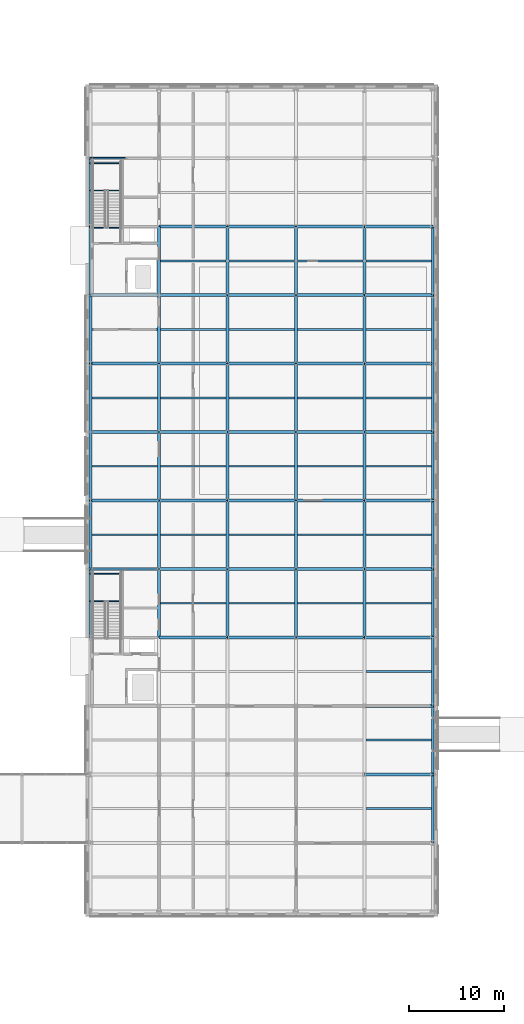
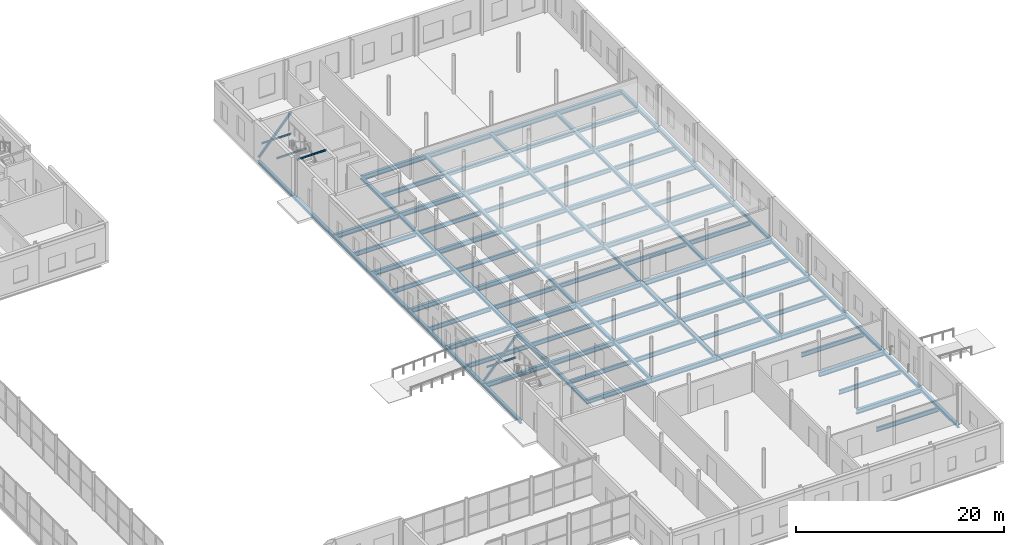
# One storey, part 41 of 92: 111 beams, 3 members.
"""IFC4 building model written with IfcOpenShell, lengths in metres."""

from ifc_helpers import new_model, si_unit, direction, frame, origin, origin_2d, place, context, subcontext, project, spatial, hollow_rectangle, i_section, extrude, material, material_profile, profile_set, type_object, element, save


model = new_model("IFC4")

# Units and contexts
model_context = context("Model", 3, precision=1e-05, world=origin(), true_north=direction((0.0, 1.0)))
body_context = subcontext(model_context, "Body", "Model", "MODEL_VIEW")
ifc_project = project(units=[si_unit("LENGTHUNIT", "METRE"), si_unit("AREAUNIT", "SQUARE_METRE"), si_unit("VOLUMEUNIT", "CUBIC_METRE"), si_unit("PLANEANGLEUNIT", "RADIAN"), si_unit("MASSUNIT", "GRAM", prefix="KILO")], contexts=[model_context])

# Site, building, storey
site_placement = place(None, origin())
site = spatial("IfcSite", under=ifc_project, at=site_placement, CompositionType="ELEMENT")
building_placement = place(site_placement, origin())
building = spatial("IfcBuilding", under=site, at=building_placement, Name="Zlatovets Crest Museum", CompositionType="ELEMENT")
storey_placement = place(building_placement, origin())
storey = spatial("IfcBuildingStorey", under=building, at=storey_placement, Name="L00", CompositionType="ELEMENT", Elevation=0.0)

# Beams
ifc_material = material(Name="Structural steel S355J2", Category="steel")
ifc_material_profile_1 = material_profile(ifc_material, i_section(OverallWidth=0.300048828125, OverallDepth=0.35009765625, WebThickness=0.010009765625, FlangeThickness=0.017578125, FilletRadius=0.027099609375, at=origin_2d()), Name="HEA 360")
ifc_profile_set_1 = profile_set([ifc_material_profile_1], Name="Structural steel S355J2")
beam_type_1 = type_object("IfcBeamType", Name="Beam_B-03", PredefinedType="BEAM", material=ifc_profile_set_1)
beam_1_placement = place(storey_placement, frame((129.60009765625, 43.199951171875, -0.455078125), z_axis=(0.0, 1.0, 0.0), x_axis=(-1.0, 0.0, 0.0)))
element("IfcBeam", 1, at=beam_1_placement, inside=storey, type_object=beam_type_1, Name="V5 L00 Grid Beam B-03", PredefinedType="BEAM", context=body_context, shape_type="SweptSolid", body=[
    extrude(i_section(OverallWidth=0.300048828125, OverallDepth=0.35009765625, WebThickness=0.010009765625, FlangeThickness=0.017578125, FilletRadius=0.027099609375, at=origin_2d()), origin(), (0.0, 0.0, 1.0), 7.199951171875),
])
beam_2_placement = place(storey_placement, frame((129.60009765625, 50.39990234375, -0.455078125), z_axis=(0.0, 1.0, 0.0), x_axis=(-1.0, 0.0, 0.0)))
element("IfcBeam", 2, at=beam_2_placement, inside=storey, type_object=beam_type_1, Name="V5 L00 Grid Beam B-03", PredefinedType="BEAM", context=body_context, shape_type="SweptSolid", body=[
    extrude(i_section(OverallWidth=0.300048828125, OverallDepth=0.35009765625, WebThickness=0.010009765625, FlangeThickness=0.017578125, FilletRadius=0.027099609375, at=origin_2d()), origin(), (0.0, 0.0, 1.0), 7.2001953125),
])
for number, where, z_axis, x_axis, name in (
    (3, (129.60009765625, 57.60009765625, -0.455078125), (0.0, 1.0, 0.0), (-1.0, 0.0, 0.0), "V5 L00 Grid Beam B-03"),
    (4, (129.60009765625, 64.800048828125, -0.455078125), (0.0, 1.0, 0.0), (-1.0, 0.0, 0.0), "V5 L00 Grid Beam B-03"),
    (5, (129.60009765625, 72.0, -0.455078125), (0.0, 1.0, 0.0), (-1.0, 0.0, 0.0), "V5 L00 Grid Beam B-03"),
    (6, (129.60009765625, 79.199951171875, -0.455078125), (0.0, 1.0, 0.0), (-1.0, 0.0, 0.0), "V5 L00 Grid Beam B-03"),
):
    element("IfcBeam", number, at=place(storey_placement, frame(where, z_axis=z_axis, x_axis=x_axis)), inside=storey, type_object=beam_type_1, Name=name, PredefinedType="BEAM", context=body_context, shape_type="SweptSolid", body=[
        extrude(i_section(OverallWidth=0.300048828125, OverallDepth=0.35009765625, WebThickness=0.010009765625, FlangeThickness=0.017578125, FilletRadius=0.027099609375, at=origin_2d()), origin(), (0.0, 0.0, 1.0), 7.199951171875),
    ])
beam_3_placement = place(storey_placement, frame((129.60009765625, 86.39990234375, -0.455078125), z_axis=(0.0, 1.0, 0.0), x_axis=(-1.0, 0.0, 0.0)))
element("IfcBeam", 7, at=beam_3_placement, inside=storey, type_object=beam_type_1, Name="V5 L00 Grid Beam B-03", PredefinedType="BEAM", context=body_context, shape_type="SweptSolid", body=[
    extrude(i_section(OverallWidth=0.300048828125, OverallDepth=0.35009765625, WebThickness=0.010009765625, FlangeThickness=0.017578125, FilletRadius=0.027099609375, at=origin_2d()), origin(), (0.0, 0.0, 1.0), 7.2001953125),
])
beam_4_placement = place(storey_placement, frame((136.800048828125, 43.199951171875, -0.455078125), z_axis=(0.0, 1.0, 0.0), x_axis=(-1.0, 0.0, 0.0)))
element("IfcBeam", 8, at=beam_4_placement, inside=storey, type_object=beam_type_1, Name="V5 L00 Grid Beam B-03", PredefinedType="BEAM", context=body_context, shape_type="SweptSolid", body=[
    extrude(i_section(OverallWidth=0.300048828125, OverallDepth=0.35009765625, WebThickness=0.010009765625, FlangeThickness=0.017578125, FilletRadius=0.027099609375, at=origin_2d()), origin(), (0.0, 0.0, 1.0), 7.199951171875),
])
beam_5_placement = place(storey_placement, frame((136.800048828125, 50.39990234375, -0.455078125), z_axis=(0.0, 1.0, 0.0), x_axis=(-1.0, 0.0, 0.0)))
element("IfcBeam", 9, at=beam_5_placement, inside=storey, type_object=beam_type_1, Name="V5 L00 Grid Beam B-03", PredefinedType="BEAM", context=body_context, shape_type="SweptSolid", body=[
    extrude(i_section(OverallWidth=0.300048828125, OverallDepth=0.35009765625, WebThickness=0.010009765625, FlangeThickness=0.017578125, FilletRadius=0.027099609375, at=origin_2d()), origin(), (0.0, 0.0, 1.0), 7.2001953125),
])
for number, where, z_axis, x_axis, name in (
    (10, (136.800048828125, 57.60009765625, -0.455078125), (0.0, 1.0, 0.0), (-1.0, 0.0, 0.0), "V5 L00 Grid Beam B-03"),
    (11, (136.800048828125, 64.800048828125, -0.455078125), (0.0, 1.0, 0.0), (-1.0, 0.0, 0.0), "V5 L00 Grid Beam B-03"),
    (12, (136.800048828125, 72.0, -0.455078125), (0.0, 1.0, 0.0), (-1.0, 0.0, 0.0), "V5 L00 Grid Beam B-03"),
    (13, (136.800048828125, 79.199951171875, -0.455078125), (0.0, 1.0, 0.0), (-1.0, 0.0, 0.0), "V5 L00 Grid Beam B-03"),
    (14, (144.0, 43.199951171875, -0.455078125), (0.0, 1.0, 0.0), (-1.0, 0.0, 0.0), "V5 L00 Grid Beam B-03"),
):
    element("IfcBeam", number, at=place(storey_placement, frame(where, z_axis=z_axis, x_axis=x_axis)), inside=storey, type_object=beam_type_1, Name=name, PredefinedType="BEAM", context=body_context, shape_type="SweptSolid", body=[
        extrude(i_section(OverallWidth=0.300048828125, OverallDepth=0.35009765625, WebThickness=0.010009765625, FlangeThickness=0.017578125, FilletRadius=0.027099609375, at=origin_2d()), origin(), (0.0, 0.0, 1.0), 7.199951171875),
    ])
beam_6_placement = place(storey_placement, frame((144.0, 50.39990234375, -0.455078125), z_axis=(0.0, 1.0, 0.0), x_axis=(-1.0, 0.0, 0.0)))
element("IfcBeam", 15, at=beam_6_placement, inside=storey, type_object=beam_type_1, Name="V5 L00 Grid Beam B-03", PredefinedType="BEAM", context=body_context, shape_type="SweptSolid", body=[
    extrude(i_section(OverallWidth=0.300048828125, OverallDepth=0.35009765625, WebThickness=0.010009765625, FlangeThickness=0.017578125, FilletRadius=0.027099609375, at=origin_2d()), origin(), (0.0, 0.0, 1.0), 7.2001953125),
])
for number, where, z_axis, x_axis, name in (
    (16, (144.0, 57.60009765625, -0.455078125), (0.0, 1.0, 0.0), (-1.0, 0.0, 0.0), "V5 L00 Grid Beam B-03"),
    (17, (144.0, 64.800048828125, -0.455078125), (0.0, 1.0, 0.0), (-1.0, 0.0, 0.0), "V5 L00 Grid Beam B-03"),
    (18, (144.0, 72.0, -0.455078125), (0.0, 1.0, 0.0), (-1.0, 0.0, 0.0), "V5 L00 Grid Beam B-03"),
    (19, (144.0, 79.199951171875, -0.455078125), (0.0, 1.0, 0.0), (-1.0, 0.0, 0.0), "V5 L00 Grid Beam B-03"),
    (20, (151.199951171875, 43.199951171875, -0.455078125), (0.0, 1.0, 0.0), (-1.0, 0.0, 0.0), "V5 L00 Grid Beam B-03"),
):
    element("IfcBeam", number, at=place(storey_placement, frame(where, z_axis=z_axis, x_axis=x_axis)), inside=storey, type_object=beam_type_1, Name=name, PredefinedType="BEAM", context=body_context, shape_type="SweptSolid", body=[
        extrude(i_section(OverallWidth=0.300048828125, OverallDepth=0.35009765625, WebThickness=0.010009765625, FlangeThickness=0.017578125, FilletRadius=0.027099609375, at=origin_2d()), origin(), (0.0, 0.0, 1.0), 7.199951171875),
    ])
beam_7_placement = place(storey_placement, frame((151.199951171875, 50.39990234375, -0.455078125), z_axis=(0.0, 1.0, 0.0), x_axis=(-1.0, 0.0, 0.0)))
element("IfcBeam", 21, at=beam_7_placement, inside=storey, type_object=beam_type_1, Name="V5 L00 Grid Beam B-03", PredefinedType="BEAM", context=body_context, shape_type="SweptSolid", body=[
    extrude(i_section(OverallWidth=0.300048828125, OverallDepth=0.35009765625, WebThickness=0.010009765625, FlangeThickness=0.017578125, FilletRadius=0.027099609375, at=origin_2d()), origin(), (0.0, 0.0, 1.0), 7.2001953125),
])
for number, where, z_axis, x_axis, name in (
    (22, (151.199951171875, 57.60009765625, -0.455078125), (0.0, 1.0, 0.0), (-1.0, 0.0, 0.0), "V5 L00 Grid Beam B-03"),
    (23, (151.199951171875, 64.800048828125, -0.455078125), (0.0, 1.0, 0.0), (-1.0, 0.0, 0.0), "V5 L00 Grid Beam B-03"),
    (24, (151.199951171875, 72.0, -0.455078125), (0.0, 1.0, 0.0), (-1.0, 0.0, 0.0), "V5 L00 Grid Beam B-03"),
    (25, (151.199951171875, 79.199951171875, -0.455078125), (0.0, 1.0, 0.0), (-1.0, 0.0, 0.0), "V5 L00 Grid Beam B-03"),
    (26, (158.39990234375, 43.199951171875, -0.455078125), (0.0, 1.0, 0.0), (-1.0, 0.0, 0.0), "V5 L00 Grid Beam B-03"),
):
    element("IfcBeam", number, at=place(storey_placement, frame(where, z_axis=z_axis, x_axis=x_axis)), inside=storey, type_object=beam_type_1, Name=name, PredefinedType="BEAM", context=body_context, shape_type="SweptSolid", body=[
        extrude(i_section(OverallWidth=0.300048828125, OverallDepth=0.35009765625, WebThickness=0.010009765625, FlangeThickness=0.017578125, FilletRadius=0.027099609375, at=origin_2d()), origin(), (0.0, 0.0, 1.0), 7.199951171875),
    ])
beam_8_placement = place(storey_placement, frame((158.39990234375, 50.39990234375, -0.455078125), z_axis=(0.0, 1.0, 0.0), x_axis=(-1.0, 0.0, 0.0)))
element("IfcBeam", 27, at=beam_8_placement, inside=storey, type_object=beam_type_1, Name="V5 L00 Grid Beam B-03", PredefinedType="BEAM", context=body_context, shape_type="SweptSolid", body=[
    extrude(i_section(OverallWidth=0.300048828125, OverallDepth=0.35009765625, WebThickness=0.010009765625, FlangeThickness=0.017578125, FilletRadius=0.027099609375, at=origin_2d()), origin(), (0.0, 0.0, 1.0), 7.2001953125),
])
for number, where, z_axis, x_axis, name in (
    (28, (158.39990234375, 57.60009765625, -0.455078125), (0.0, 1.0, 0.0), (-1.0, 0.0, 0.0), "V5 L00 Grid Beam B-03"),
    (29, (158.39990234375, 64.800048828125, -0.455078125), (0.0, 1.0, 0.0), (-1.0, 0.0, 0.0), "V5 L00 Grid Beam B-03"),
    (30, (158.39990234375, 72.0, -0.455078125), (0.0, 1.0, 0.0), (-1.0, 0.0, 0.0), "V5 L00 Grid Beam B-03"),
    (31, (158.39990234375, 79.199951171875, -0.455078125), (0.0, 1.0, 0.0), (-1.0, 0.0, 0.0), "V5 L00 Grid Beam B-03"),
    (32, (165.60009765625, 21.60009765625, -0.455078125), (0.0, 1.0, 0.0), (-1.0, 0.0, 0.0), "V5 L00 Grid Beam B-03"),
    (33, (165.60009765625, 28.800048828125, -0.455078125), (0.0, 1.0, 0.0), (-1.0, 0.0, 0.0), "V5 L00 Grid Beam B-03"),
    (34, (165.60009765625, 36.0, -0.455078125), (0.0, 1.0, 0.0), (-1.0, 0.0, 0.0), "V5 L00 Grid Beam B-03"),
    (35, (165.60009765625, 43.199951171875, -0.455078125), (0.0, 1.0, 0.0), (-1.0, 0.0, 0.0), "V5 L00 Grid Beam B-03"),
):
    element("IfcBeam", number, at=place(storey_placement, frame(where, z_axis=z_axis, x_axis=x_axis)), inside=storey, type_object=beam_type_1, Name=name, PredefinedType="BEAM", context=body_context, shape_type="SweptSolid", body=[
        extrude(i_section(OverallWidth=0.300048828125, OverallDepth=0.35009765625, WebThickness=0.010009765625, FlangeThickness=0.017578125, FilletRadius=0.027099609375, at=origin_2d()), origin(), (0.0, 0.0, 1.0), 7.199951171875),
    ])
beam_9_placement = place(storey_placement, frame((165.60009765625, 50.39990234375, -0.455078125), z_axis=(0.0, 1.0, 0.0), x_axis=(-1.0, 0.0, 0.0)))
element("IfcBeam", 36, at=beam_9_placement, inside=storey, type_object=beam_type_1, Name="V5 L00 Grid Beam B-03", PredefinedType="BEAM", context=body_context, shape_type="SweptSolid", body=[
    extrude(i_section(OverallWidth=0.300048828125, OverallDepth=0.35009765625, WebThickness=0.010009765625, FlangeThickness=0.017578125, FilletRadius=0.027099609375, at=origin_2d()), origin(), (0.0, 0.0, 1.0), 7.2001953125),
])
for number, where, z_axis, x_axis, name in (
    (37, (165.60009765625, 57.60009765625, -0.455078125), (0.0, 1.0, 0.0), (-1.0, 0.0, 0.0), "V5 L00 Grid Beam B-03"),
    (38, (165.60009765625, 64.800048828125, -0.455078125), (0.0, 1.0, 0.0), (-1.0, 0.0, 0.0), "V5 L00 Grid Beam B-03"),
    (39, (165.60009765625, 72.0, -0.455078125), (0.0, 1.0, 0.0), (-1.0, 0.0, 0.0), "V5 L00 Grid Beam B-03"),
    (40, (165.60009765625, 79.199951171875, -0.455078125), (0.0, 1.0, 0.0), (-1.0, 0.0, 0.0), "V5 L00 Grid Beam B-03"),
):
    element("IfcBeam", number, at=place(storey_placement, frame(where, z_axis=z_axis, x_axis=x_axis)), inside=storey, type_object=beam_type_1, Name=name, PredefinedType="BEAM", context=body_context, shape_type="SweptSolid", body=[
        extrude(i_section(OverallWidth=0.300048828125, OverallDepth=0.35009765625, WebThickness=0.010009765625, FlangeThickness=0.017578125, FilletRadius=0.027099609375, at=origin_2d()), origin(), (0.0, 0.0, 1.0), 7.199951171875),
    ])
ifc_material_profile_2 = material_profile(ifc_material, i_section(OverallWidth=0.300048828125, OverallDepth=0.5400390625, WebThickness=0.012451171875, FlangeThickness=0.02392578125, FilletRadius=0.027099609375, at=origin_2d()), Name="HEA 550")
ifc_profile_set_2 = profile_set([ifc_material_profile_2], Name="Structural steel S355J2")
beam_type_2 = type_object("IfcBeamType", Name="Beam_B-09", PredefinedType="BEAM", material=ifc_profile_set_2)
for number, where, z_axis, x_axis, name in (
    (41, (158.39990234375, 28.800048828125, -0.550048828125), (1.0, 0.0, 0.0), (0.0, 1.0, 0.0), "V5 L00 Primary Girder B-09"),
    (42, (158.39990234375, 36.0, -0.550048828125), (1.0, 0.0, 0.0), (0.0, 1.0, 0.0), "V5 L00 Primary Girder B-09"),
):
    element("IfcBeam", number, at=place(storey_placement, frame(where, z_axis=z_axis, x_axis=x_axis)), inside=storey, type_object=beam_type_2, Name=name, PredefinedType="BEAM", context=body_context, shape_type="SweptSolid", body=[
        extrude(i_section(OverallWidth=0.300048828125, OverallDepth=0.5400390625, WebThickness=0.012451171875, FlangeThickness=0.02392578125, FilletRadius=0.027099609375, at=origin_2d()), origin(), (0.0, 0.0, 1.0), 7.2001953125),
    ])
for number, where, z_axis, x_axis, name in (
    (43, (136.800048828125, 43.199951171875, -0.550048828125), (1.0, 0.0, 0.0), (0.0, 1.0, 0.0), "V5 L00 Primary Girder B-09"),
    (44, (144.0, 43.199951171875, -0.550048828125), (1.0, 0.0, 0.0), (0.0, 1.0, 0.0), "V5 L00 Primary Girder B-09"),
    (45, (151.199951171875, 43.199951171875, -0.550048828125), (1.0, 0.0, 0.0), (0.0, 1.0, 0.0), "V5 L00 Primary Girder B-09"),
):
    element("IfcBeam", number, at=place(storey_placement, frame(where, z_axis=z_axis, x_axis=x_axis)), inside=storey, type_object=beam_type_2, Name=name, PredefinedType="BEAM", context=body_context, shape_type="SweptSolid", body=[
        extrude(i_section(OverallWidth=0.300048828125, OverallDepth=0.5400390625, WebThickness=0.012451171875, FlangeThickness=0.02392578125, FilletRadius=0.027099609375, at=origin_2d()), origin(), (0.0, 0.0, 1.0), 7.199951171875),
    ])
beam_10_placement = place(storey_placement, frame((158.39990234375, 43.199951171875, -0.550048828125), z_axis=(1.0, 0.0, 0.0), x_axis=(0.0, 1.0, 0.0)))
element("IfcBeam", 46, at=beam_10_placement, inside=storey, type_object=beam_type_2, Name="V5 L00 Primary Girder B-09", PredefinedType="BEAM", context=body_context, shape_type="SweptSolid", body=[
    extrude(i_section(OverallWidth=0.300048828125, OverallDepth=0.5400390625, WebThickness=0.012451171875, FlangeThickness=0.02392578125, FilletRadius=0.027099609375, at=origin_2d()), origin(), (0.0, 0.0, 1.0), 7.2001953125),
])
for number, where, z_axis, x_axis, name in (
    (47, (129.60009765625, 50.39990234375, -0.550048828125), (1.0, 0.0, 0.0), (0.0, 1.0, 0.0), "V5 L00 Primary Girder B-09"),
    (48, (136.800048828125, 50.39990234375, -0.550048828125), (1.0, 0.0, 0.0), (0.0, 1.0, 0.0), "V5 L00 Primary Girder B-09"),
    (49, (144.0, 50.39990234375, -0.550048828125), (1.0, 0.0, 0.0), (0.0, 1.0, 0.0), "V5 L00 Primary Girder B-09"),
    (50, (151.199951171875, 50.39990234375, -0.550048828125), (1.0, 0.0, 0.0), (0.0, 1.0, 0.0), "V5 L00 Primary Girder B-09"),
):
    element("IfcBeam", number, at=place(storey_placement, frame(where, z_axis=z_axis, x_axis=x_axis)), inside=storey, type_object=beam_type_2, Name=name, PredefinedType="BEAM", context=body_context, shape_type="SweptSolid", body=[
        extrude(i_section(OverallWidth=0.300048828125, OverallDepth=0.5400390625, WebThickness=0.012451171875, FlangeThickness=0.02392578125, FilletRadius=0.027099609375, at=origin_2d()), origin(), (0.0, 0.0, 1.0), 7.199951171875),
    ])
beam_11_placement = place(storey_placement, frame((158.39990234375, 50.39990234375, -0.550048828125), z_axis=(1.0, 0.0, 0.0), x_axis=(0.0, 1.0, 0.0)))
element("IfcBeam", 51, at=beam_11_placement, inside=storey, type_object=beam_type_2, Name="V5 L00 Primary Girder B-09", PredefinedType="BEAM", context=body_context, shape_type="SweptSolid", body=[
    extrude(i_section(OverallWidth=0.300048828125, OverallDepth=0.5400390625, WebThickness=0.012451171875, FlangeThickness=0.02392578125, FilletRadius=0.027099609375, at=origin_2d()), origin(), (0.0, 0.0, 1.0), 7.2001953125),
])
for number, where, z_axis, x_axis, name in (
    (52, (129.60009765625, 57.60009765625, -0.550048828125), (1.0, 0.0, 0.0), (0.0, 1.0, 0.0), "V5 L00 Primary Girder B-09"),
    (53, (136.800048828125, 57.60009765625, -0.550048828125), (1.0, 0.0, 0.0), (0.0, 1.0, 0.0), "V5 L00 Primary Girder B-09"),
    (54, (144.0, 57.60009765625, -0.550048828125), (1.0, 0.0, 0.0), (0.0, 1.0, 0.0), "V5 L00 Primary Girder B-09"),
    (55, (151.199951171875, 57.60009765625, -0.550048828125), (1.0, 0.0, 0.0), (0.0, 1.0, 0.0), "V5 L00 Primary Girder B-09"),
):
    element("IfcBeam", number, at=place(storey_placement, frame(where, z_axis=z_axis, x_axis=x_axis)), inside=storey, type_object=beam_type_2, Name=name, PredefinedType="BEAM", context=body_context, shape_type="SweptSolid", body=[
        extrude(i_section(OverallWidth=0.300048828125, OverallDepth=0.5400390625, WebThickness=0.012451171875, FlangeThickness=0.02392578125, FilletRadius=0.027099609375, at=origin_2d()), origin(), (0.0, 0.0, 1.0), 7.199951171875),
    ])
beam_12_placement = place(storey_placement, frame((158.39990234375, 57.60009765625, -0.550048828125), z_axis=(1.0, 0.0, 0.0), x_axis=(0.0, 1.0, 0.0)))
element("IfcBeam", 56, at=beam_12_placement, inside=storey, type_object=beam_type_2, Name="V5 L00 Primary Girder B-09", PredefinedType="BEAM", context=body_context, shape_type="SweptSolid", body=[
    extrude(i_section(OverallWidth=0.300048828125, OverallDepth=0.5400390625, WebThickness=0.012451171875, FlangeThickness=0.02392578125, FilletRadius=0.027099609375, at=origin_2d()), origin(), (0.0, 0.0, 1.0), 7.2001953125),
])
for number, where, z_axis, x_axis, name in (
    (57, (129.60009765625, 64.800048828125, -0.550048828125), (1.0, 0.0, 0.0), (0.0, 1.0, 0.0), "V5 L00 Primary Girder B-09"),
    (58, (136.800048828125, 64.800048828125, -0.550048828125), (1.0, 0.0, 0.0), (0.0, 1.0, 0.0), "V5 L00 Primary Girder B-09"),
    (59, (144.0, 64.800048828125, -0.550048828125), (1.0, 0.0, 0.0), (0.0, 1.0, 0.0), "V5 L00 Primary Girder B-09"),
    (60, (151.199951171875, 64.800048828125, -0.550048828125), (1.0, 0.0, 0.0), (0.0, 1.0, 0.0), "V5 L00 Primary Girder B-09"),
):
    element("IfcBeam", number, at=place(storey_placement, frame(where, z_axis=z_axis, x_axis=x_axis)), inside=storey, type_object=beam_type_2, Name=name, PredefinedType="BEAM", context=body_context, shape_type="SweptSolid", body=[
        extrude(i_section(OverallWidth=0.300048828125, OverallDepth=0.5400390625, WebThickness=0.012451171875, FlangeThickness=0.02392578125, FilletRadius=0.027099609375, at=origin_2d()), origin(), (0.0, 0.0, 1.0), 7.199951171875),
    ])
beam_13_placement = place(storey_placement, frame((158.39990234375, 64.800048828125, -0.550048828125), z_axis=(1.0, 0.0, 0.0), x_axis=(0.0, 1.0, 0.0)))
element("IfcBeam", 61, at=beam_13_placement, inside=storey, type_object=beam_type_2, Name="V5 L00 Primary Girder B-09", PredefinedType="BEAM", context=body_context, shape_type="SweptSolid", body=[
    extrude(i_section(OverallWidth=0.300048828125, OverallDepth=0.5400390625, WebThickness=0.012451171875, FlangeThickness=0.02392578125, FilletRadius=0.027099609375, at=origin_2d()), origin(), (0.0, 0.0, 1.0), 7.2001953125),
])
for number, where, z_axis, x_axis, name in (
    (62, (129.60009765625, 72.0, -0.550048828125), (1.0, 0.0, 0.0), (0.0, 1.0, 0.0), "V5 L00 Primary Girder B-09"),
    (63, (136.800048828125, 72.0, -0.550048828125), (1.0, 0.0, 0.0), (0.0, 1.0, 0.0), "V5 L00 Primary Girder B-09"),
    (64, (144.0, 72.0, -0.550048828125), (1.0, 0.0, 0.0), (0.0, 1.0, 0.0), "V5 L00 Primary Girder B-09"),
    (65, (151.199951171875, 72.0, -0.550048828125), (1.0, 0.0, 0.0), (0.0, 1.0, 0.0), "V5 L00 Primary Girder B-09"),
):
    element("IfcBeam", number, at=place(storey_placement, frame(where, z_axis=z_axis, x_axis=x_axis)), inside=storey, type_object=beam_type_2, Name=name, PredefinedType="BEAM", context=body_context, shape_type="SweptSolid", body=[
        extrude(i_section(OverallWidth=0.300048828125, OverallDepth=0.5400390625, WebThickness=0.012451171875, FlangeThickness=0.02392578125, FilletRadius=0.027099609375, at=origin_2d()), origin(), (0.0, 0.0, 1.0), 7.199951171875),
    ])
beam_14_placement = place(storey_placement, frame((158.39990234375, 72.0, -0.550048828125), z_axis=(1.0, 0.0, 0.0), x_axis=(0.0, 1.0, 0.0)))
element("IfcBeam", 66, at=beam_14_placement, inside=storey, type_object=beam_type_2, Name="V5 L00 Primary Girder B-09", PredefinedType="BEAM", context=body_context, shape_type="SweptSolid", body=[
    extrude(i_section(OverallWidth=0.300048828125, OverallDepth=0.5400390625, WebThickness=0.012451171875, FlangeThickness=0.02392578125, FilletRadius=0.027099609375, at=origin_2d()), origin(), (0.0, 0.0, 1.0), 7.2001953125),
])
for number, where, z_axis, x_axis, name in (
    (67, (129.60009765625, 79.199951171875, -0.550048828125), (1.0, 0.0, 0.0), (0.0, 1.0, 0.0), "V5 L00 Primary Girder B-09"),
    (68, (136.800048828125, 79.199951171875, -0.550048828125), (1.0, 0.0, 0.0), (0.0, 1.0, 0.0), "V5 L00 Primary Girder B-09"),
    (69, (144.0, 79.199951171875, -0.550048828125), (1.0, 0.0, 0.0), (0.0, 1.0, 0.0), "V5 L00 Primary Girder B-09"),
    (70, (151.199951171875, 79.199951171875, -0.550048828125), (1.0, 0.0, 0.0), (0.0, 1.0, 0.0), "V5 L00 Primary Girder B-09"),
):
    element("IfcBeam", number, at=place(storey_placement, frame(where, z_axis=z_axis, x_axis=x_axis)), inside=storey, type_object=beam_type_2, Name=name, PredefinedType="BEAM", context=body_context, shape_type="SweptSolid", body=[
        extrude(i_section(OverallWidth=0.300048828125, OverallDepth=0.5400390625, WebThickness=0.012451171875, FlangeThickness=0.02392578125, FilletRadius=0.027099609375, at=origin_2d()), origin(), (0.0, 0.0, 1.0), 7.199951171875),
    ])
beam_15_placement = place(storey_placement, frame((158.39990234375, 79.199951171875, -0.550048828125), z_axis=(1.0, 0.0, 0.0), x_axis=(0.0, 1.0, 0.0)))
element("IfcBeam", 71, at=beam_15_placement, inside=storey, type_object=beam_type_2, Name="V5 L00 Primary Girder B-09", PredefinedType="BEAM", context=body_context, shape_type="SweptSolid", body=[
    extrude(i_section(OverallWidth=0.300048828125, OverallDepth=0.5400390625, WebThickness=0.012451171875, FlangeThickness=0.02392578125, FilletRadius=0.027099609375, at=origin_2d()), origin(), (0.0, 0.0, 1.0), 7.2001953125),
])
for number, where, z_axis, x_axis, name in (
    (72, (136.800048828125, 86.39990234375, -0.550048828125), (1.0, 0.0, 0.0), (0.0, 1.0, 0.0), "V5 L00 Primary Girder B-09"),
    (73, (144.0, 86.39990234375, -0.550048828125), (1.0, 0.0, 0.0), (0.0, 1.0, 0.0), "V5 L00 Primary Girder B-09"),
    (74, (151.199951171875, 86.39990234375, -0.550048828125), (1.0, 0.0, 0.0), (0.0, 1.0, 0.0), "V5 L00 Primary Girder B-09"),
):
    element("IfcBeam", number, at=place(storey_placement, frame(where, z_axis=z_axis, x_axis=x_axis)), inside=storey, type_object=beam_type_2, Name=name, PredefinedType="BEAM", context=body_context, shape_type="SweptSolid", body=[
        extrude(i_section(OverallWidth=0.300048828125, OverallDepth=0.5400390625, WebThickness=0.012451171875, FlangeThickness=0.02392578125, FilletRadius=0.027099609375, at=origin_2d()), origin(), (0.0, 0.0, 1.0), 7.199951171875),
    ])
beam_16_placement = place(storey_placement, frame((158.39990234375, 86.39990234375, -0.550048828125), z_axis=(1.0, 0.0, 0.0), x_axis=(0.0, 1.0, 0.0)))
element("IfcBeam", 75, at=beam_16_placement, inside=storey, type_object=beam_type_2, Name="V5 L00 Primary Girder B-09", PredefinedType="BEAM", context=body_context, shape_type="SweptSolid", body=[
    extrude(i_section(OverallWidth=0.300048828125, OverallDepth=0.5400390625, WebThickness=0.012451171875, FlangeThickness=0.02392578125, FilletRadius=0.027099609375, at=origin_2d()), origin(), (0.0, 0.0, 1.0), 7.2001953125),
])
ifc_material_profile_3 = material_profile(ifc_material, i_section(OverallWidth=0.199951171875, OverallDepth=0.5, WebThickness=0.01025390625, FlangeThickness=0.01611328125, FilletRadius=0.02099609375, at=origin_2d()), Name="IPE 500")
ifc_profile_set_3 = profile_set([ifc_material_profile_3], Name="Structural steel S355J2")
beam_type_3 = type_object("IfcBeamType", Name="Beam_J-06", PredefinedType="JOIST", material=ifc_profile_set_3)
for number, where, z_axis, x_axis, name in (
    (76, (129.75, 54.0, -0.530029296875), (1.0, 0.0, 0.0), (0.0, 1.0, 0.0), "V5 L00 Composite Joist J-06"),
    (77, (129.75, 61.199951171875, -0.530029296875), (1.0, 0.0, 0.0), (0.0, 1.0, 0.0), "V5 L00 Composite Joist J-06"),
    (78, (129.75, 68.39990234375, -0.530029296875), (1.0, 0.0, 0.0), (0.0, 1.0, 0.0), "V5 L00 Composite Joist J-06"),
    (79, (129.75, 75.60009765625, -0.530029296875), (1.0, 0.0, 0.0), (0.0, 1.0, 0.0), "V5 L00 Composite Joist J-06"),
):
    element("IfcBeam", number, at=place(storey_placement, frame(where, z_axis=z_axis, x_axis=x_axis)), inside=storey, type_object=beam_type_3, Name=name, PredefinedType="JOIST", context=body_context, shape_type="SweptSolid", body=[
        extrude(i_section(OverallWidth=0.199951171875, OverallDepth=0.5, WebThickness=0.01025390625, FlangeThickness=0.01611328125, FilletRadius=0.02099609375, at=origin_2d()), origin(), (0.0, 0.0, 1.0), 6.89990234375),
    ])
for number, where, z_axis, x_axis, name in (
    (80, (136.949951171875, 46.800048828125, -0.530029296875), (1.0, 0.0, 0.0), (0.0, 1.0, 0.0), "V5 L00 Composite Joist J-06"),
    (81, (136.949951171875, 54.0, -0.530029296875), (1.0, 0.0, 0.0), (0.0, 1.0, 0.0), "V5 L00 Composite Joist J-06"),
    (82, (136.949951171875, 61.199951171875, -0.530029296875), (1.0, 0.0, 0.0), (0.0, 1.0, 0.0), "V5 L00 Composite Joist J-06"),
    (83, (136.949951171875, 68.39990234375, -0.530029296875), (1.0, 0.0, 0.0), (0.0, 1.0, 0.0), "V5 L00 Composite Joist J-06"),
    (84, (136.949951171875, 75.60009765625, -0.530029296875), (1.0, 0.0, 0.0), (0.0, 1.0, 0.0), "V5 L00 Composite Joist J-06"),
    (85, (136.949951171875, 82.800048828125, -0.530029296875), (1.0, 0.0, 0.0), (0.0, 1.0, 0.0), "V5 L00 Composite Joist J-06"),
    (86, (144.14990234375, 46.800048828125, -0.530029296875), (1.0, 0.0, 0.0), (0.0, 1.0, 0.0), "V5 L00 Composite Joist J-06"),
    (87, (144.14990234375, 54.0, -0.530029296875), (1.0, 0.0, 0.0), (0.0, 1.0, 0.0), "V5 L00 Composite Joist J-06"),
    (88, (144.14990234375, 61.199951171875, -0.530029296875), (1.0, 0.0, 0.0), (0.0, 1.0, 0.0), "V5 L00 Composite Joist J-06"),
    (89, (144.14990234375, 68.39990234375, -0.530029296875), (1.0, 0.0, 0.0), (0.0, 1.0, 0.0), "V5 L00 Composite Joist J-06"),
    (90, (144.14990234375, 75.60009765625, -0.530029296875), (1.0, 0.0, 0.0), (0.0, 1.0, 0.0), "V5 L00 Composite Joist J-06"),
    (91, (144.14990234375, 82.800048828125, -0.530029296875), (1.0, 0.0, 0.0), (0.0, 1.0, 0.0), "V5 L00 Composite Joist J-06"),
):
    element("IfcBeam", number, at=place(storey_placement, frame(where, z_axis=z_axis, x_axis=x_axis)), inside=storey, type_object=beam_type_3, Name=name, PredefinedType="JOIST", context=body_context, shape_type="SweptSolid", body=[
        extrude(i_section(OverallWidth=0.199951171875, OverallDepth=0.5, WebThickness=0.01025390625, FlangeThickness=0.01611328125, FilletRadius=0.02099609375, at=origin_2d()), origin(), (0.0, 0.0, 1.0), 6.900146484375),
    ])
for number, where, z_axis, x_axis, name in (
    (92, (151.35009765625, 46.800048828125, -0.530029296875), (1.0, 0.0, 0.0), (0.0, 1.0, 0.0), "V5 L00 Composite Joist J-06"),
    (93, (151.35009765625, 54.0, -0.530029296875), (1.0, 0.0, 0.0), (0.0, 1.0, 0.0), "V5 L00 Composite Joist J-06"),
    (94, (151.35009765625, 61.199951171875, -0.530029296875), (1.0, 0.0, 0.0), (0.0, 1.0, 0.0), "V5 L00 Composite Joist J-06"),
    (95, (151.35009765625, 68.39990234375, -0.530029296875), (1.0, 0.0, 0.0), (0.0, 1.0, 0.0), "V5 L00 Composite Joist J-06"),
    (96, (151.35009765625, 75.60009765625, -0.530029296875), (1.0, 0.0, 0.0), (0.0, 1.0, 0.0), "V5 L00 Composite Joist J-06"),
    (97, (151.35009765625, 82.800048828125, -0.530029296875), (1.0, 0.0, 0.0), (0.0, 1.0, 0.0), "V5 L00 Composite Joist J-06"),
    (98, (158.550048828125, 25.199951171875, -0.530029296875), (1.0, 0.0, 0.0), (0.0, 1.0, 0.0), "V5 L00 Composite Joist J-06"),
    (99, (158.550048828125, 32.39990234375, -0.530029296875), (1.0, 0.0, 0.0), (0.0, 1.0, 0.0), "V5 L00 Composite Joist J-06"),
    (100, (158.550048828125, 39.60009765625, -0.530029296875), (1.0, 0.0, 0.0), (0.0, 1.0, 0.0), "V5 L00 Composite Joist J-06"),
    (101, (158.550048828125, 46.800048828125, -0.530029296875), (1.0, 0.0, 0.0), (0.0, 1.0, 0.0), "V5 L00 Composite Joist J-06"),
    (102, (158.550048828125, 54.0, -0.530029296875), (1.0, 0.0, 0.0), (0.0, 1.0, 0.0), "V5 L00 Composite Joist J-06"),
    (103, (158.550048828125, 61.199951171875, -0.530029296875), (1.0, 0.0, 0.0), (0.0, 1.0, 0.0), "V5 L00 Composite Joist J-06"),
    (104, (158.550048828125, 68.39990234375, -0.530029296875), (1.0, 0.0, 0.0), (0.0, 1.0, 0.0), "V5 L00 Composite Joist J-06"),
    (105, (158.550048828125, 75.60009765625, -0.530029296875), (1.0, 0.0, 0.0), (0.0, 1.0, 0.0), "V5 L00 Composite Joist J-06"),
    (106, (158.550048828125, 82.800048828125, -0.530029296875), (1.0, 0.0, 0.0), (0.0, 1.0, 0.0), "V5 L00 Composite Joist J-06"),
):
    element("IfcBeam", number, at=place(storey_placement, frame(where, z_axis=z_axis, x_axis=x_axis)), inside=storey, type_object=beam_type_3, Name=name, PredefinedType="JOIST", context=body_context, shape_type="SweptSolid", body=[
        extrude(i_section(OverallWidth=0.199951171875, OverallDepth=0.5, WebThickness=0.01025390625, FlangeThickness=0.01611328125, FilletRadius=0.02099609375, at=origin_2d()), origin(), (0.0, 0.0, 1.0), 6.89990234375),
    ])
ifc_material_profile_4 = material_profile(ifc_material, i_section(OverallWidth=0.10009765625, OverallDepth=0.199951171875, WebThickness=0.005615234375, FlangeThickness=0.008544921875, FilletRadius=0.011962890625, at=origin_2d()), Name="IPE 200")
ifc_profile_set_4 = profile_set([ifc_material_profile_4], Name="Structural steel S355J2")
beam_type_4 = type_object("IfcBeamType", Name="Beam_PR-02", PredefinedType="LINTEL", material=ifc_profile_set_4)
for number, where, z_axis, x_axis, name in (
    (107, (129.60009765625, 47.0, 1.949951171875), (1.0, 0.0, 0.0), (0.0, 1.0, 0.0), "Core C5 L00 Half-Landing Support Beam"),
    (108, (129.60009765625, 49.8798828125, 1.949951171875), (1.0, 0.0, 0.0), (0.0, 1.0, 0.0), "Core C5 L00 Half-Landing Support Beam"),
    (109, (129.60009765625, 86.300048828125, 4.159912109375), (1.0, 0.0, 0.0), (0.0, 1.0, 0.0), "Core C7 L00 Stair Well Header Beam"),
    (110, (129.60009765625, 90.199951171875, 1.949951171875), (1.0, 0.0, 0.0), (0.0, 1.0, 0.0), "Core C7 L00 Half-Landing Support Beam"),
    (111, (129.60009765625, 93.080078125, 1.949951171875), (1.0, 0.0, 0.0), (0.0, 1.0, 0.0), "Core C7 L00 Half-Landing Support Beam"),
):
    element("IfcBeam", number, at=place(storey_placement, frame(where, z_axis=z_axis, x_axis=x_axis)), inside=storey, type_object=beam_type_4, Name=name, PredefinedType="LINTEL", context=body_context, shape_type="SweptSolid", body=[
        extrude(i_section(OverallWidth=0.10009765625, OverallDepth=0.199951171875, WebThickness=0.005615234375, FlangeThickness=0.008544921875, FilletRadius=0.011962890625, at=origin_2d()), origin(), (0.0, 0.0, 1.0), 3.349853515625),
    ])

# Members
ifc_material_profile_5 = material_profile(ifc_material, hollow_rectangle(XDim=0.219970703125, YDim=0.219970703125, WallThickness=0.012451171875, InnerFilletRadius=0.012451171875, OuterFilletRadius=0.02490234375, at=origin_2d()), Name="SHS 220x220x12.5")
ifc_profile_set_5 = profile_set([ifc_material_profile_5], Name="Structural steel S355J2")
member_type = type_object("IfcMemberType", Name="Member_BR-07", PredefinedType="BRACE", material=ifc_profile_set_5)
for number, where, z_axis, x_axis, name in (
    (112, (129.60009765625, 50.39990234375, 0.0), (0.664344262737, 0.0, 0.747426719196), (0.0, 1.0, 0.0), "V5 L00 Concentric Seismic Brace"),
    (113, (136.800048828125, 50.39990234375, 0.0), (-0.664369431748, 0.0, 0.747404347163), (0.0, -1.0, 0.0), "V5 L00 Concentric Seismic Brace"),
    (114, (129.60009765625, 93.60009765625, 0.0), (0.664344262737, 0.0, 0.747426719196), (0.0, 1.0, 0.0), "V5 L00 Concentric Seismic Brace"),
):
    element("IfcMember", number, at=place(storey_placement, frame(where, z_axis=z_axis, x_axis=x_axis)), inside=storey, type_object=member_type, Name=name, PredefinedType="BRACE", context=body_context, shape_type="SweptSolid", body=[
        extrude(hollow_rectangle(XDim=0.219970703125, YDim=0.219970703125, WallThickness=0.012451171875, InnerFilletRadius=0.012451171875, OuterFilletRadius=0.02490234375, at=origin_2d()), origin(), (0.0, 0.0, 1.0), 5.418701171875),
    ])

save(model, "model.ifc")
